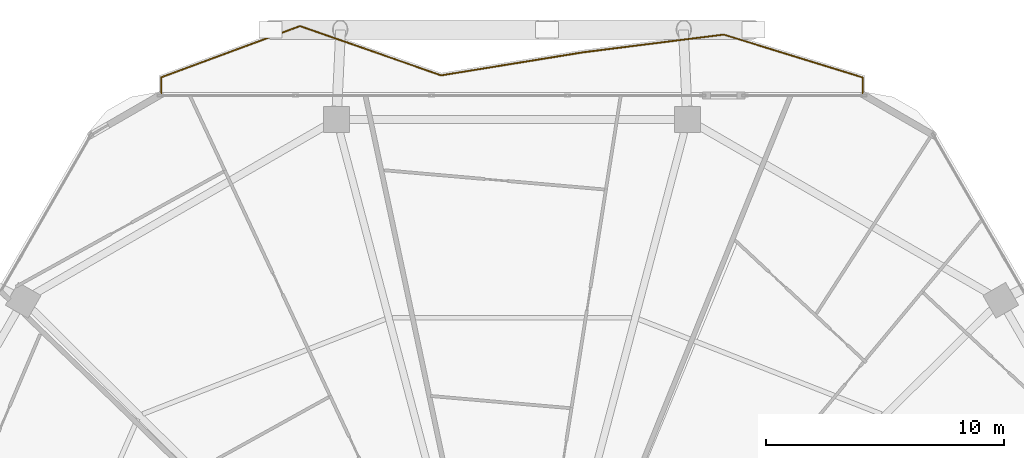
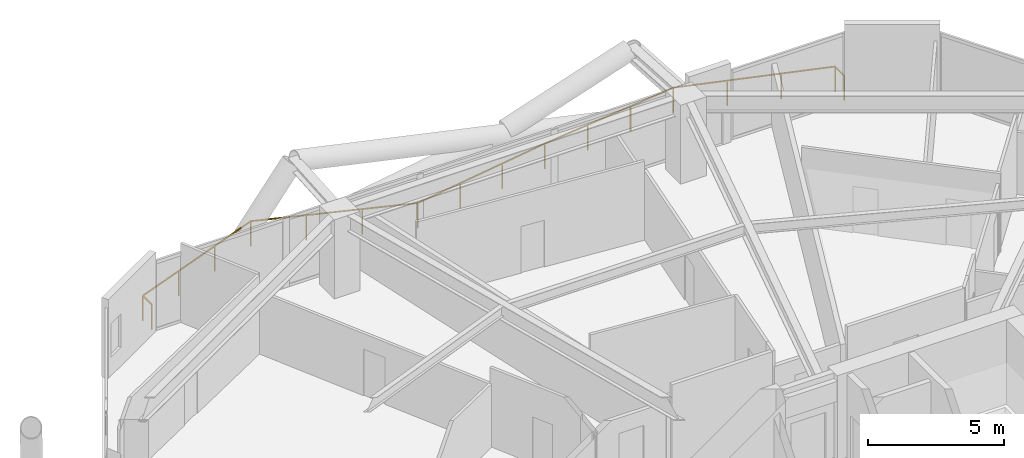
# One storey, part 35 of 35: 1 railing.
"""IFC4 building model written with IfcOpenShell, lengths in metres."""

from ifc_helpers import new_model, si_unit, direction, frame, origin, origin_2d, place, context, subcontext, project, spatial, rectangle, extrude, material, type_object, element, save


model = new_model("IFC4")

# Units and contexts
model_context = context("Model", 3, precision=1e-05, world=origin(), true_north=direction((0.0, 1.0)))
body_context = subcontext(model_context, "Body", "Model", "MODEL_VIEW")
ifc_project = project(units=[si_unit("LENGTHUNIT", "METRE"), si_unit("AREAUNIT", "SQUARE_METRE"), si_unit("VOLUMEUNIT", "CUBIC_METRE"), si_unit("PLANEANGLEUNIT", "RADIAN"), si_unit("MASSUNIT", "GRAM", prefix="KILO")], contexts=[model_context])

# Site, building, storey
site_placement = place(None, origin())
site = spatial("IfcSite", under=ifc_project, at=site_placement, CompositionType="ELEMENT")
building_placement = place(site_placement, origin())
building = spatial("IfcBuilding", under=site, at=building_placement, Name="Zuhravey Tower", CompositionType="ELEMENT")
storey_placement = place(building_placement, frame((0.0, 0.0, 138.0)))
storey = spatial("IfcBuildingStorey", under=building, at=storey_placement, Name="L34", CompositionType="ELEMENT", Elevation=138.0)

# Railing
ifc_material = material(Name="Stainless steel 316 and laminated glass", Category="steel")
railing_type = type_object("IfcRailingType", Name="Balcony & Terrace Guardrail 1150", PredefinedType="BALUSTRADE", material=ifc_material)
railing_placement = place(storey_placement, frame((21.271728515625, 61.04345703125, 0.0)))
element("IfcRailing", 1, at=railing_placement, inside=storey, type_object=railing_type, Name="L34 Face 2 Wave Balcony Guardrail GR1", PredefinedType="BALUSTRADE", context=body_context, shape_type="SweptSolid", body=[
    extrude(rectangle(XDim=0.048095703125, YDim=0.048095703125, at=origin_2d()), frame((0.0, 0.001953125, 1.1259765625), z_axis=(0.0, 1.0, 0.0), x_axis=(-1.0, 0.0, 0.0)), (0.0, 0.0, 1.0), 0.66650390625),
    extrude(rectangle(XDim=0.048095703125, YDim=0.048095703125, at=origin_2d()), frame((0.001953125, 0.671142578125, 1.1259765625), z_axis=(0.937937592562, 0.346804083683, 0.0), x_axis=(-0.346804083683, 0.937937592562, 0.0)), (0.0, 0.0, 1.0), 6.214111328125),
    extrude(rectangle(XDim=0.048095703125, YDim=0.048095703125, at=origin_2d()), frame((5.834228515625, 2.826171875, 1.1259765625), z_axis=(0.94403904665, -0.329833713256, 0.0), x_axis=(0.329833713256, 0.94403904665, 0.0)), (0.0, 0.0, 1.0), 6.268310546875),
    extrude(rectangle(XDim=0.048095703125, YDim=0.048095703125, at=origin_2d()), frame((11.755615234375, 0.75830078125, 1.1259765625), z_axis=(0.987080751481, 0.160223562735, 0.0), x_axis=(-0.160223562735, 0.987080751481, 0.0)), (0.0, 0.0, 1.0), 6.028564453125),
    extrude(rectangle(XDim=0.048095703125, YDim=0.048095703125, at=origin_2d()), frame((17.710205078125, 1.724853515625, 1.1259765625), z_axis=(0.992141040088, 0.125124564229, 0.0), x_axis=(-0.125124564229, 0.992141040088, 0.0)), (0.0, 0.0, 1.0), 5.950927734375),
    extrude(rectangle(XDim=0.048095703125, YDim=0.048095703125, at=origin_2d()), frame((23.618408203125, 2.46923828125, 1.1259765625), z_axis=(0.95547883129, -0.295059659995, 0.0), x_axis=(0.295059659995, 0.95547883129, 0.0)), (0.0, 0.0, 1.0), 6.108154296875),
    extrude(rectangle(XDim=0.048095703125, YDim=0.048095703125, at=origin_2d()), frame((29.45654296875, 0.664306640625, 1.1259765625), z_axis=(0.0, -1.0, 0.0), x_axis=(1.0, 0.0, 0.0)), (0.0, 0.0, 1.0), 0.662353515625),
    extrude(rectangle(XDim=0.0419921875, YDim=0.0419921875, at=origin_2d()), origin(), (0.0, 0.0, 1.0), 1.099853515625),
    extrude(rectangle(XDim=0.0419921875, YDim=0.0419921875, at=origin_2d()), frame((0.0, 0.67041015625, 0.0)), (0.0, 0.0, 1.0), 1.099853515625),
    extrude(rectangle(XDim=0.0419921875, YDim=0.0419921875, at=origin_2d()), frame((1.944091796875, 1.38916015625, 0.0)), (0.0, 0.0, 1.0), 1.099853515625),
    extrude(rectangle(XDim=0.0419921875, YDim=0.0419921875, at=origin_2d()), frame((3.88818359375, 2.108154296875, 0.0)), (0.0, 0.0, 1.0), 1.099853515625),
    extrude(rectangle(XDim=0.0419921875, YDim=0.0419921875, at=origin_2d()), frame((5.832275390625, 2.826904296875, 0.0)), (0.0, 0.0, 1.0), 1.099853515625),
    extrude(rectangle(XDim=0.0419921875, YDim=0.0419921875, at=origin_2d()), frame((7.80615234375, 2.13720703125, 0.0)), (0.0, 0.0, 1.0), 1.099853515625),
    extrude(rectangle(XDim=0.0419921875, YDim=0.0419921875, at=origin_2d()), frame((9.77978515625, 1.44775390625, 0.0)), (0.0, 0.0, 1.0), 1.099853515625),
    extrude(rectangle(XDim=0.0419921875, YDim=0.0419921875, at=origin_2d()), frame((11.753662109375, 0.758056640625, 0.0)), (0.0, 0.0, 1.0), 1.099853515625),
    extrude(rectangle(XDim=0.0419921875, YDim=0.0419921875, at=origin_2d()), frame((13.738525390625, 1.080322265625, 0.0)), (0.0, 0.0, 1.0), 1.099853515625),
    extrude(rectangle(XDim=0.0419921875, YDim=0.0419921875, at=origin_2d()), frame((15.723388671875, 1.40234375, 0.0)), (0.0, 0.0, 1.0), 1.099853515625),
    extrude(rectangle(XDim=0.0419921875, YDim=0.0419921875, at=origin_2d()), frame((17.708251953125, 1.724609375, 0.0)), (0.0, 0.0, 1.0), 1.099853515625),
    extrude(rectangle(XDim=0.0419921875, YDim=0.0419921875, at=origin_2d()), frame((19.677734375, 1.972900390625, 0.0)), (0.0, 0.0, 1.0), 1.099853515625),
    extrude(rectangle(XDim=0.0419921875, YDim=0.0419921875, at=origin_2d()), frame((21.64697265625, 2.221435546875, 0.0)), (0.0, 0.0, 1.0), 1.099853515625),
    extrude(rectangle(XDim=0.0419921875, YDim=0.0419921875, at=origin_2d()), frame((23.616455078125, 2.4697265625, 0.0)), (0.0, 0.0, 1.0), 1.099853515625),
    extrude(rectangle(XDim=0.0419921875, YDim=0.0419921875, at=origin_2d()), frame((25.563232421875, 1.86865234375, 0.0)), (0.0, 0.0, 1.0), 1.099853515625),
    extrude(rectangle(XDim=0.0419921875, YDim=0.0419921875, at=origin_2d()), frame((27.509765625, 1.267333984375, 0.0)), (0.0, 0.0, 1.0), 1.099853515625),
    extrude(rectangle(XDim=0.0419921875, YDim=0.0419921875, at=origin_2d()), frame((29.45654296875, 0.666259765625, 0.0)), (0.0, 0.0, 1.0), 1.099853515625),
    extrude(rectangle(XDim=0.0419921875, YDim=0.0419921875, at=origin_2d()), frame((29.45654296875, 0.0, 0.0)), (0.0, 0.0, 1.0), 1.099853515625),
])

save(model, "model.ifc")
